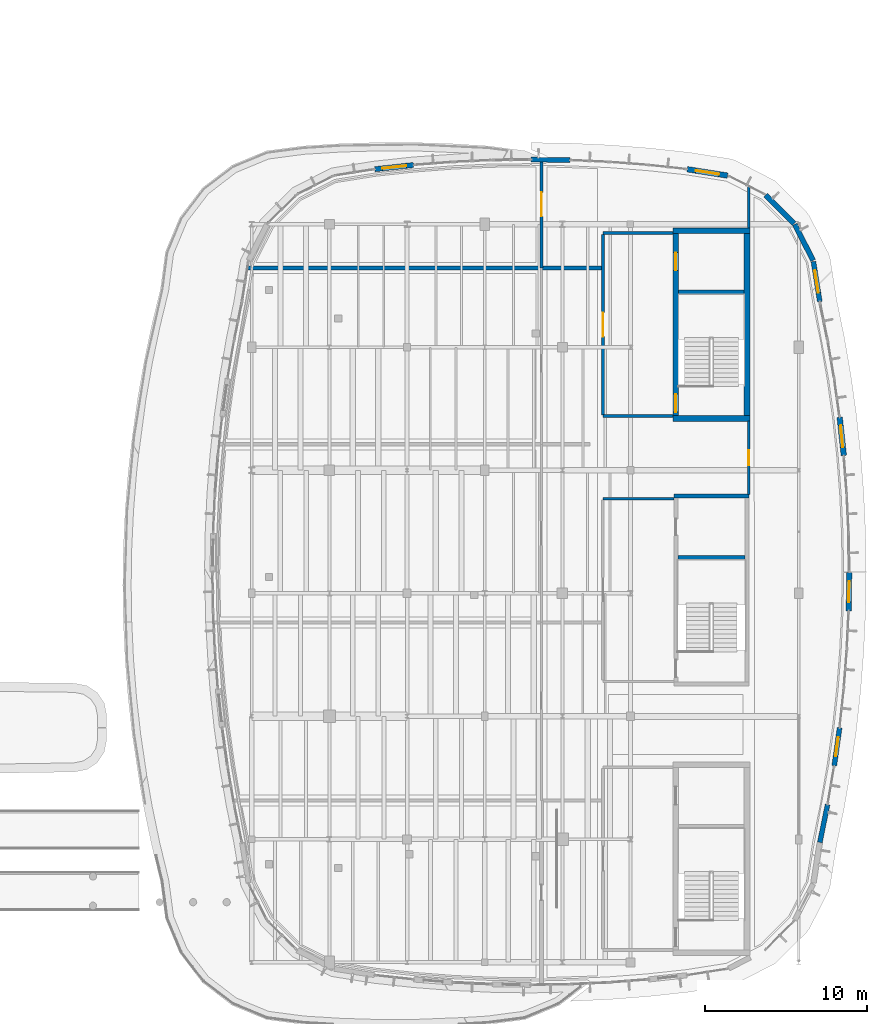
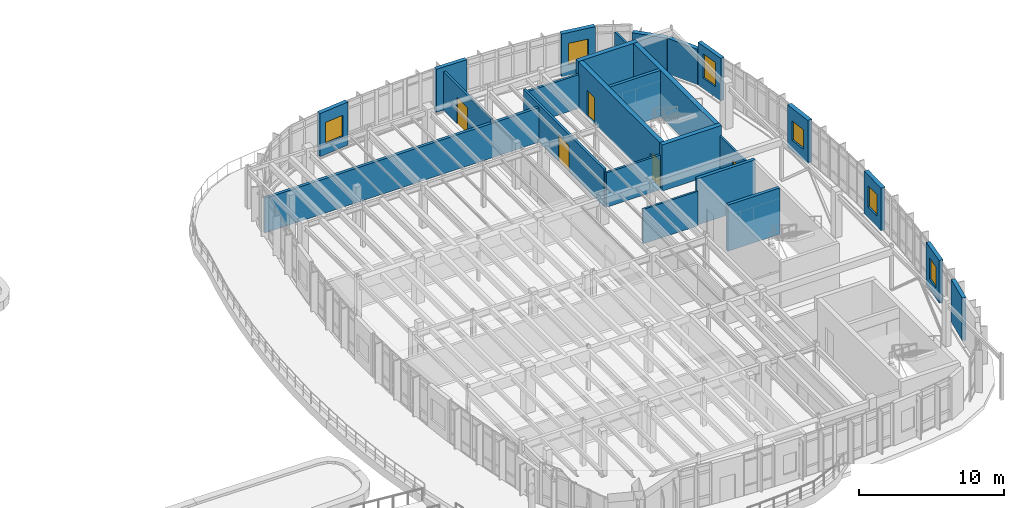
# One storey, part 89 of 111: 25 walls, 6 windows, 5 doors, 11 openings.
"""IFC4 building model written with IfcOpenShell, lengths in metres."""

import ifcopenshell
import ifcopenshell.guid

model = None  # the IFC model being written
_history = None  # IfcOwnerHistory: only IFC2X3 demands one
_inside = {}  # id of a spatial element -> (the spatial element, [elements in it])
_under = {}  # id of a project, library or spatial element -> (it, [spatial elements below it])
_declared = {}  # id of a project -> (the project, [libraries it declares])
_typed = {}  # id of a type object -> (the type object, [elements of that type])
_made_of = {}  # id of a material, layer set ... -> (it, [elements and type objects made of it])


def new_model(schema):
    """Start an empty IFC model of exactly this schema.

    Asked for "IFC4X3", IfcOpenShell would pick the latest addendum, in which some entities
    have other attributes; the version numbers below select the first issue.
    IFC2X3 requires an IfcOwnerHistory on every rooted entity: one is made here for all.
    """
    global model, _history
    if schema == "IFC4X3":
        model = ifcopenshell.file(schema_version=(4, 3, 0, 0))
    else:
        model = ifcopenshell.file(schema=schema)
    _inside.clear()
    _under.clear()
    _declared.clear()
    _typed.clear()
    _made_of.clear()
    _history = None
    if model.schema == "IFC2X3":
        org = make("IfcOrganization", Name="unknown")
        user = make(
            "IfcPersonAndOrganization",
            ThePerson=make("IfcPerson", FamilyName="unknown"),
            TheOrganization=org,
        )
        app = make(
            "IfcApplication",
            ApplicationDeveloper=org,
            Version="unknown",
            ApplicationFullName="unknown",
            ApplicationIdentifier="unknown",
        )
        _history = make(
            "IfcOwnerHistory",
            OwningUser=user,
            OwningApplication=app,
            ChangeAction="ADDED",
            CreationDate=0,
        )
    return model


def make(cls, **values):
    """One entity of the class cls with the attributes given. An attribute that is None is left unset."""
    return model.create_entity(
        cls, **{name: value for name, value in values.items() if value is not None}
    )


def rooted(cls, **values):
    """An entity with a GlobalId (a new one), such as an element, a storey or a relation."""
    return make(cls, GlobalId=ifcopenshell.guid.new(), OwnerHistory=_history, **values)


def si_unit(unit_type, name, prefix=None):
    """IfcSIUnit, for example si_unit("LENGTHUNIT", "METRE", prefix="MILLI")."""
    return make("IfcSIUnit", UnitType=unit_type, Prefix=prefix, Name=name)


def assignment(units):
    """IfcUnitAssignment: the units of a project."""
    return None if units is None else make("IfcUnitAssignment", Units=units)


def point(xyz):
    """IfcCartesianPoint."""
    return None if xyz is None else make("IfcCartesianPoint", Coordinates=xyz)


def direction(xyz):
    """IfcDirection."""
    return None if xyz is None else make("IfcDirection", DirectionRatios=xyz)


def frame(location, z_axis=None, x_axis=None):
    """IfcAxis2Placement3D, a coordinate frame: its origin and axes. An axis left out is left unset."""
    return make(
        "IfcAxis2Placement3D",
        Location=point(location),
        Axis=direction(z_axis),
        RefDirection=direction(x_axis),
    )


def frame_2d(location, x_axis=None):
    """IfcAxis2Placement2D, a coordinate frame in the plane: its origin and x axis."""
    return make(
        "IfcAxis2Placement2D", Location=point(location), RefDirection=direction(x_axis)
    )


def origin():
    """The frame at (0, 0, 0) with its axes left unset."""
    return frame((0.0, 0.0, 0.0))


def place(relative_to, where):
    """IfcLocalPlacement: puts the frame where relative to a parent placement (None: the world)."""
    return make(
        "IfcLocalPlacement", PlacementRelTo=relative_to, RelativePlacement=where
    )


def context(
    kind, dimensions, precision=None, world=None, true_north=None, identifier=None
):
    """IfcGeometricRepresentationContext, for example the 3D "Model" context."""
    return make(
        "IfcGeometricRepresentationContext",
        ContextIdentifier=identifier,
        ContextType=kind,
        CoordinateSpaceDimension=dimensions,
        Precision=precision,
        WorldCoordinateSystem=world,
        TrueNorth=true_north,
    )


def subcontext(parent, identifier, kind, view, scale=None):
    """IfcGeometricRepresentationSubContext, for example "Body" below "Model"."""
    return make(
        "IfcGeometricRepresentationSubContext",
        ContextIdentifier=identifier,
        ContextType=kind,
        ParentContext=parent,
        TargetScale=scale,
        TargetView=view,
    )


def project(units=None, contexts=None):
    """IfcProject with its units and contexts."""
    return rooted(
        "IfcProject",
        Name="project",
        RepresentationContexts=contexts,
        UnitsInContext=assignment(units),
    )


def spatial(cls, under=None, at=None, **own):
    """A site, building, storey or space (cls), placed at a placement, below another one or the project."""
    s = rooted(cls, ObjectPlacement=at, **own)
    if under is not None:
        _under.setdefault(under.id(), (under, []))[1].append(s)
    return s


def profile(cls, at=None, kind="AREA", **sizes):
    """A parametric profile (cls). Its sizes go by their IFC names, for example OverallWidth=200.0."""
    return make(cls, ProfileType=kind, Position=at, **sizes)


def rectangle(**sizes):
    """IfcRectangleProfileDef."""
    return profile("IfcRectangleProfileDef", **sizes)


def extrude(swept, where, along, depth):
    """IfcExtrudedAreaSolid: the profile swept, set in the frame where, extruded along a direction by depth."""
    return make(
        "IfcExtrudedAreaSolid",
        SweptArea=swept,
        Position=where,
        ExtrudedDirection=direction(along),
        Depth=depth,
    )


def shape(context_of_items, identifier, shape_type, items):
    """IfcShapeRepresentation: the items that make up one representation, for example the "Body"."""
    return make(
        "IfcShapeRepresentation",
        ContextOfItems=context_of_items,
        RepresentationIdentifier=identifier,
        RepresentationType=shape_type,
        Items=items,
    )


def material(Name=None, Category=None):
    """IfcMaterial."""
    return make("IfcMaterial", Name=Name, Category=Category)


def layer(
    of_material, thickness, ventilated=None, Name=None, Category=None, Priority=None
):
    """IfcMaterialLayer: one layer of a wall or slab, of a material (None: an air gap)."""
    return make(
        "IfcMaterialLayer",
        Material=of_material,
        LayerThickness=thickness,
        IsVentilated=ventilated,
        Name=Name,
        Category=Category,
        Priority=Priority,
    )


def layer_set(layers, Name=None):
    """IfcMaterialLayerSet."""
    return make("IfcMaterialLayerSet", MaterialLayers=layers, LayerSetName=Name)


def made_of(thing, what):
    """Note that an element or type object is made of a material, layer set ...; save() writes the relation."""
    if what is not None:
        _made_of.setdefault(what.id(), (what, []))[1].append(thing)
    return thing


def type_object(cls, material=None, **own):
    """A type object (cls), such as IfcWallType, which elements share."""
    return made_of(rooted(cls, **own), material)


def element(
    cls,
    number,
    at=None,
    inside=None,
    cuts=None,
    type_object=None,
    material=None,
    context=None,
    identifier="Body",
    shape_type=None,
    held_by="IfcProductDefinitionShape",
    body=None,
    shapes=None,
    **own,
):
    """One element of the class cls, such as IfcWall. Its Tag is "e" and its number.

    at: its placement. inside: the storey or other place that contains it. cuts: it is an
    opening in that element (IfcRelVoidsElement). A single representation is given by context,
    identifier, shape_type and body (its items); several are given by shapes. held_by: the class
    of the entity that holds the representations. save() writes the other relations.
    """
    e = rooted(cls, Tag="e%d" % number, ObjectPlacement=at, **own)
    if body is not None:
        shapes = [shape(context, identifier, shape_type, body)]
    if shapes is not None:
        e.Representation = make(held_by, Representations=shapes)
    if inside is not None:
        _inside.setdefault(inside.id(), (inside, []))[1].append(e)
    if cuts is not None:
        rooted(
            "IfcRelVoidsElement", RelatingBuildingElement=cuts, RelatedOpeningElement=e
        )
    if type_object is not None:
        _typed.setdefault(type_object.id(), (type_object, []))[1].append(e)
    return made_of(e, material)


def fill(opening, filler):
    """IfcRelFillsElement: the door or window that sits in an opening."""
    return rooted(
        "IfcRelFillsElement",
        RelatingOpeningElement=opening,
        RelatedBuildingElement=filler,
    )


def aggregate(whole, parts):
    """IfcRelAggregates: a whole, such as a stair, and the parts it consists of."""
    return rooted("IfcRelAggregates", RelatingObject=whole, RelatedObjects=parts)


def save(model, path):
    """Write the relations noted so far, then the file.

    IfcRelAggregates (storeys below a building ...), IfcRelContainedInSpatialStructure (elements
    in a storey), IfcRelDefinesByType, IfcRelAssociatesMaterial and IfcRelDeclares: one each for
    every whole, place, type object, material and project.
    """
    for whole, parts in _under.values():
        aggregate(whole, parts)
    for where, things in _inside.values():
        rooted(
            "IfcRelContainedInSpatialStructure",
            RelatedElements=things,
            RelatingStructure=where,
        )
    for kind, things in _typed.values():
        rooted("IfcRelDefinesByType", RelatedObjects=things, RelatingType=kind)
    for what, things in _made_of.values():
        rooted("IfcRelAssociatesMaterial", RelatedObjects=things, RelatingMaterial=what)
    for by, libraries in _declared.values():
        rooted("IfcRelDeclares", RelatingContext=by, RelatedDefinitions=libraries)
    model.write(path)


model = new_model("IFC4")

# Units and contexts
model_context = context("Model", 3, precision=1e-05, world=origin(), true_north=direction((0.0, 1.0)))
body_context = subcontext(model_context, "Body", "Model", "MODEL_VIEW")
ifc_project = project(units=[si_unit("LENGTHUNIT", "METRE"), si_unit("AREAUNIT", "SQUARE_METRE"), si_unit("VOLUMEUNIT", "CUBIC_METRE"), si_unit("PLANEANGLEUNIT", "RADIAN"), si_unit("MASSUNIT", "GRAM", prefix="KILO")], contexts=[model_context])

# Site, building, storey
site_placement = place(None, origin())
site = spatial("IfcSite", under=ifc_project, at=site_placement, CompositionType="ELEMENT")
building_placement = place(site_placement, origin())
building = spatial("IfcBuilding", under=site, at=building_placement, Name="Corveleigh Park Community Centre", CompositionType="ELEMENT")
storey_placement = place(building_placement, frame((0.0, 0.0, 4.800048828125)))
storey = spatial("IfcBuildingStorey", under=building, at=storey_placement, Name="L01", CompositionType="ELEMENT", Elevation=4.800048828125)

# Wall
ifc_material_1 = material(Name="Precast concrete C40/50", Category="concrete")
ifc_layer_1 = layer(ifc_material_1, 0.300048828125, Name="Precast concrete C40/50", Category="concrete")
ifc_layer_set_1 = layer_set([ifc_layer_1], Name="Precast concrete C40/50")
wall_type_1 = type_object("IfcWallType", Name="WL-EXT-300", PredefinedType="STANDARD", material=ifc_layer_set_1)
wall_1_placement = place(storey_placement, frame((170.178955078125, 68.346923828125, 0.0), z_axis=(0.0, 0.0, 1.0), x_axis=(-0.200012153698, -0.979793416171, 0.0)))
element("IfcWall", 1, at=wall_1_placement, inside=storey, type_object=wall_type_1, Name="V4 L01 Precast Facade Wall", PredefinedType="STANDARD", context=body_context, shape_type="SweptSolid", body=[
    extrude(rectangle(XDim=2.385009765625, YDim=0.300048828125, at=frame_2d((1.1923828125, 0.0))), origin(), (0.0, 0.0, 1.0), 3.612060546875),
])

# Wall, opening, window
wall_2_placement = place(storey_placement, frame((170.922119140625, 73.097900390625, 0.0), z_axis=(0.0, 0.0, 1.0), x_axis=(-0.139087162472, -0.990280142806, 0.0)))
wall_2 = element("IfcWall", 2, at=wall_2_placement, inside=storey, type_object=wall_type_1, Name="V4 L01 Precast Facade Wall", PredefinedType="STANDARD", context=body_context, shape_type="SweptSolid", body=[
    extrude(rectangle(XDim=2.38720703125, YDim=0.300048828125, at=frame_2d((1.193603515625, 0.0))), origin(), (0.0, 0.0, 1.0), 3.612060546875),
])
opening_1_placement = place(wall_2_placement, frame((0.593994140625, 0.0, 0.89990234375)))
opening_1 = element("IfcOpeningElement", 3, at=opening_1_placement, cuts=wall_2, Name="Opening W06", PredefinedType="OPENING", context=body_context, shape_type="SweptSolid", body=[
    extrude(rectangle(XDim=1.199951171875, YDim=1.800048828125, at=frame_2d((0.60009765625, 0.89990234375))), frame((0.0, 0.159912109375, 0.0), z_axis=(0.0, -1.0, 0.0), x_axis=(1.0, 0.0, 0.0)), (0.0, 0.0, 1.0), 0.320068359375),
])
ifc_material_2 = material(Name="Low-E double glazing", Category="glass")
window_type_1 = type_object("IfcWindowType", Name="WIN-EXT-1200x1800", PartitioningType="SINGLE_PANEL", PredefinedType="WINDOW", material=ifc_material_2)
window_1_placement = place(opening_1_placement, origin())
window_1 = element("IfcWindow", 4, at=window_1_placement, inside=storey, type_object=window_type_1, Name="V4 L01 Window 54", OverallHeight=1.800048828125, OverallWidth=1.199951171875, PartitioningType="SINGLE_PANEL", PredefinedType="WINDOW", context=body_context, shape_type="SweptSolid", body=[
    extrude(rectangle(XDim=1.199951171875, YDim=1.800048828125, at=frame_2d((0.60009765625, 0.89990234375))), frame((0.0, 0.030029296875, 0.0), z_axis=(0.0, -1.0, 0.0), x_axis=(1.0, 0.0, 0.0)), (0.0, 0.0, 1.0), 0.06005859375),
])
fill(opening_1, window_1)

wall_3_placement = place(storey_placement, frame((169.304931640625, 101.89599609375, 0.0), z_axis=(0.0, 0.0, 1.0), x_axis=(0.156166790267, -0.987730698935, 0.0)))
wall_3 = element("IfcWall", 5, at=wall_3_placement, inside=storey, type_object=wall_type_1, Name="V4 L01 Precast Facade Wall", PredefinedType="STANDARD", context=body_context, shape_type="SweptSolid", body=[
    extrude(rectangle(XDim=2.516845703125, YDim=0.300048828125, at=frame_2d((1.25830078125, 0.0))), origin(), (0.0, 0.0, 1.0), 3.612060546875),
])
opening_2_placement = place(wall_3_placement, frame((0.55810546875, 0.0, 0.89990234375)))
opening_2 = element("IfcOpeningElement", 6, at=opening_2_placement, cuts=wall_3, Name="Opening W09", PredefinedType="OPENING", context=body_context, shape_type="SweptSolid", body=[
    extrude(rectangle(XDim=1.39990234375, YDim=2.050048828125, at=frame_2d((0.699951171875, 1.02490234375))), frame((0.0, 0.159912109375, 0.0), z_axis=(0.0, -1.0, 0.0), x_axis=(1.0, 0.0, 0.0)), (0.0, 0.0, 1.0), 0.320068359375),
])
window_type_2 = type_object("IfcWindowType", Name="WIN-EXT-1400x2050", PartitioningType="SINGLE_PANEL", PredefinedType="WINDOW", material=ifc_material_2)
window_2_placement = place(opening_2_placement, origin())
window_2 = element("IfcWindow", 7, at=window_2_placement, inside=storey, type_object=window_type_2, Name="V4 L01 Window 57", OverallHeight=2.050048828125, OverallWidth=1.39990234375, PartitioningType="SINGLE_PANEL", PredefinedType="WINDOW", context=body_context, shape_type="SweptSolid", body=[
    extrude(rectangle(XDim=1.39990234375, YDim=2.050048828125, at=frame_2d((0.699951171875, 1.02490234375))), frame((0.0, 0.030029296875, 0.0), z_axis=(0.0, -1.0, 0.0), x_axis=(1.0, 0.0, 0.0)), (0.0, 0.0, 1.0), 0.06005859375),
])
fill(opening_2, window_2)

# Wall
wall_4_placement = place(storey_placement, frame((151.85888671875, 108.196044921875, 0.0), z_axis=(0.0, 0.0, 1.0), x_axis=(0.99988049559, -0.015459448208, 0.0)))
element("IfcWall", 8, at=wall_4_placement, inside=storey, type_object=wall_type_1, Name="V4 L01 Precast Facade Wall", PredefinedType="STANDARD", context=body_context, shape_type="SweptSolid", body=[
    extrude(rectangle(XDim=2.400390625, YDim=0.300048828125, at=frame_2d((1.2001953125, 0.0))), origin(), (0.0, 0.0, 1.0), 3.636962890625),
])

# Wall, opening, window
ifc_layer_2 = layer(ifc_material_1, 0.320068359375, Name="Precast concrete C40/50", Category="concrete")
ifc_layer_set_2 = layer_set([ifc_layer_2], Name="Precast concrete C40/50")
wall_type_2 = type_object("IfcWallType", Name="WL-EXT-320", PredefinedType="STANDARD", material=ifc_layer_set_2)
wall_5_placement = place(storey_placement, frame((171.51806640625, 82.69091796875, 0.0), z_axis=(0.0, 0.0, 1.0), x_axis=(-0.015551173552, -0.999879073189, 0.0)))
wall_5 = element("IfcWall", 9, at=wall_5_placement, inside=storey, type_object=wall_type_2, Name="V4 L01 Precast Facade Wall", PredefinedType="STANDARD", context=body_context, shape_type="SweptSolid", body=[
    extrude(rectangle(XDim=2.38623046875, YDim=0.320068359375, at=frame_2d((1.193115234375, 0.0))), origin(), (0.0, 0.0, 1.0), 3.612060546875),
])
opening_3_placement = place(wall_5_placement, frame((0.54296875, 0.0, 0.89990234375)))
opening_3 = element("IfcOpeningElement", 10, at=opening_3_placement, cuts=wall_5, Name="Opening W07", PredefinedType="OPENING", context=body_context, shape_type="SweptSolid", body=[
    extrude(rectangle(XDim=1.300048828125, YDim=1.800048828125, at=frame_2d((0.64990234375, 0.89990234375))), frame((0.0, 0.169921875, 0.0), z_axis=(0.0, -1.0, 0.0), x_axis=(1.0, 0.0, 0.0)), (0.0, 0.0, 1.0), 0.340087890625),
])
window_type_3 = type_object("IfcWindowType", Name="WIN-EXT-1300x1800", PartitioningType="SINGLE_PANEL", PredefinedType="WINDOW", material=ifc_material_2)
window_3_placement = place(opening_3_placement, origin())
window_3 = element("IfcWindow", 11, at=window_3_placement, inside=storey, type_object=window_type_3, Name="V4 L01 Window 55", OverallHeight=1.800048828125, OverallWidth=1.300048828125, PartitioningType="SINGLE_PANEL", PredefinedType="WINDOW", context=body_context, shape_type="SweptSolid", body=[
    extrude(rectangle(XDim=1.300048828125, YDim=1.800048828125, at=frame_2d((0.64990234375, 0.89990234375))), frame((0.0, 0.030029296875, 0.0), z_axis=(0.0, -1.0, 0.0), x_axis=(1.0, 0.0, 0.0)), (0.0, 0.0, 1.0), 0.06005859375),
])
fill(opening_3, window_3)

# Wall
wall_6_placement = place(storey_placement, frame((168.15087890625, 104.18603515625, 0.0), z_axis=(0.0, 0.0, 1.0), x_axis=(0.454298846644, -0.890849346376, 0.0)))
element("IfcWall", 12, at=wall_6_placement, inside=storey, type_object=wall_type_2, Name="V4 L01 Precast Facade Wall", PredefinedType="STANDARD", context=body_context, shape_type="SweptSolid", body=[
    extrude(rectangle(XDim=2.48974609375, YDim=0.320068359375, at=frame_2d((1.244873046875, 0.0))), origin(), (0.0, 0.0, 1.0), 3.0),
])

# Wall, opening, window
wall_7_placement = place(storey_placement, frame((142.2109375, 107.60107421875, 0.0), z_axis=(0.0, 0.0, 1.0), x_axis=(0.994148979576, 0.108017620822, 0.0)))
wall_7 = element("IfcWall", 13, at=wall_7_placement, inside=storey, type_object=wall_type_2, Name="V4 L01 Precast Facade Wall", PredefinedType="STANDARD", context=body_context, shape_type="SweptSolid", body=[
    extrude(rectangle(XDim=2.39794921875, YDim=0.320068359375, at=frame_2d((1.198974609375, 0.0))), origin(), (0.0, 0.0, 1.0), 3.636962890625),
])
opening_4_placement = place(wall_7_placement, frame((0.448974609375, 0.0, 0.89990234375)))
opening_4 = element("IfcOpeningElement", 14, at=opening_4_placement, cuts=wall_7, Name="Opening W11", PredefinedType="OPENING", context=body_context, shape_type="SweptSolid", body=[
    extrude(rectangle(XDim=1.5, YDim=1.800048828125, at=frame_2d((0.75, 0.89990234375))), frame((0.0, 0.169921875, 0.0), z_axis=(0.0, -1.0, 0.0), x_axis=(1.0, 0.0, 0.0)), (0.0, 0.0, 1.0), 0.340087890625),
])
window_type_4 = type_object("IfcWindowType", Name="WIN-EXT-1500x1800", PartitioningType="SINGLE_PANEL", PredefinedType="WINDOW", material=ifc_material_2)
window_4_placement = place(opening_4_placement, origin())
window_4 = element("IfcWindow", 15, at=window_4_placement, inside=storey, type_object=window_type_4, Name="V4 L01 Window 59", OverallHeight=1.800048828125, OverallWidth=1.5, PartitioningType="SINGLE_PANEL", PredefinedType="WINDOW", context=body_context, shape_type="SweptSolid", body=[
    extrude(rectangle(XDim=1.5, YDim=1.800048828125, at=frame_2d((0.75, 0.89990234375))), frame((0.0, 0.030029296875, 0.0), z_axis=(0.0, -1.0, 0.0), x_axis=(1.0, 0.0, 0.0)), (0.0, 0.0, 1.0), 0.06005859375),
])
fill(opening_4, window_4)

ifc_layer_3 = layer(ifc_material_1, 0.340087890625, Name="Precast concrete C40/50", Category="concrete")
ifc_layer_set_3 = layer_set([ifc_layer_3], Name="Precast concrete C40/50")
wall_type_3 = type_object("IfcWallType", Name="WL-EXT-340", PredefinedType="STANDARD", material=ifc_layer_set_3)
wall_8_placement = place(storey_placement, frame((170.924072265625, 92.283935546875, 0.0), z_axis=(0.0, 0.0, 1.0), x_axis=(0.108061379376, -0.994144224088, 0.0)))
wall_8 = element("IfcWall", 16, at=wall_8_placement, inside=storey, type_object=wall_type_3, Name="V4 L01 Precast Facade Wall", PredefinedType="STANDARD", context=body_context, shape_type="SweptSolid", body=[
    extrude(rectangle(XDim=2.3857421875, YDim=0.340087890625, at=frame_2d((1.19287109375, 0.0))), origin(), (0.0, 0.0, 1.0), 3.612060546875),
])
opening_5_placement = place(wall_8_placement, frame((0.51806640625, 0.0, 0.89990234375)))
opening_5 = element("IfcOpeningElement", 17, at=opening_5_placement, cuts=wall_8, Name="Opening W08", PredefinedType="OPENING", context=body_context, shape_type="SweptSolid", body=[
    extrude(rectangle(XDim=1.35009765625, YDim=1.64990234375, at=frame_2d((0.675048828125, 0.824951171875))), frame((0.0, 0.179931640625, 0.0), z_axis=(0.0, -1.0, 0.0), x_axis=(1.0, 0.0, 0.0)), (0.0, 0.0, 1.0), 0.360107421875),
])
window_type_5 = type_object("IfcWindowType", Name="WIN-EXT-1350x1650", PartitioningType="SINGLE_PANEL", PredefinedType="WINDOW", material=ifc_material_2)
window_5_placement = place(opening_5_placement, origin())
window_5 = element("IfcWindow", 18, at=window_5_placement, inside=storey, type_object=window_type_5, Name="V4 L01 Window 56", OverallHeight=1.64990234375, OverallWidth=1.35009765625, PartitioningType="SINGLE_PANEL", PredefinedType="WINDOW", context=body_context, shape_type="SweptSolid", body=[
    extrude(rectangle(XDim=1.35009765625, YDim=1.64990234375, at=frame_2d((0.675048828125, 0.824951171875))), frame((0.0, 0.030029296875, 0.0), z_axis=(0.0, -1.0, 0.0), x_axis=(1.0, 0.0, 0.0)), (0.0, 0.0, 1.0), 0.06005859375),
])
fill(opening_5, window_5)

# Wall
wall_9_placement = place(storey_placement, frame((166.346923828125, 106.007080078125, 0.0), z_axis=(0.0, 0.0, 1.0), x_axis=(0.707106781187, -0.707106781187, 0.0)))
element("IfcWall", 19, at=wall_9_placement, inside=storey, type_object=wall_type_3, Name="V4 L01 Precast Facade Wall", PredefinedType="STANDARD", context=body_context, shape_type="SweptSolid", body=[
    extrude(rectangle(XDim=2.489013671875, YDim=0.340087890625, at=frame_2d((1.24462890625, 0.0))), origin(), (0.0, 0.0, 1.0), 3.0),
])

# Wall, opening, window
wall_10_placement = place(storey_placement, frame((161.510986328125, 107.597900390625, 0.0), z_axis=(0.0, 0.0, 1.0), x_axis=(0.987736200152, -0.156131991949, 0.0)))
wall_10 = element("IfcWall", 20, at=wall_10_placement, inside=storey, type_object=wall_type_3, Name="V4 L01 Precast Facade Wall", PredefinedType="STANDARD", context=body_context, shape_type="SweptSolid", body=[
    extrude(rectangle(XDim=2.515869140625, YDim=0.340087890625, at=frame_2d((1.2578125, 0.0))), origin(), (0.0, 0.0, 1.0), 3.612060546875),
])
opening_6_placement = place(wall_10_placement, frame((0.532958984375, 0.0, 0.89990234375)))
opening_6 = element("IfcOpeningElement", 21, at=opening_6_placement, cuts=wall_10, Name="Opening W10", PredefinedType="OPENING", context=body_context, shape_type="SweptSolid", body=[
    extrude(rectangle(XDim=1.449951171875, YDim=1.800048828125, at=frame_2d((0.72509765625, 0.89990234375))), frame((0.0, 0.179931640625, 0.0), z_axis=(0.0, -1.0, 0.0), x_axis=(1.0, 0.0, 0.0)), (0.0, 0.0, 1.0), 0.360107421875),
])
window_type_6 = type_object("IfcWindowType", Name="WIN-EXT-1450x1800", PartitioningType="SINGLE_PANEL", PredefinedType="WINDOW", material=ifc_material_2)
window_6_placement = place(opening_6_placement, origin())
window_6 = element("IfcWindow", 22, at=window_6_placement, inside=storey, type_object=window_type_6, Name="V4 L01 Window 58", OverallHeight=1.800048828125, OverallWidth=1.449951171875, PartitioningType="SINGLE_PANEL", PredefinedType="WINDOW", context=body_context, shape_type="SweptSolid", body=[
    extrude(rectangle(XDim=1.449951171875, YDim=1.800048828125, at=frame_2d((0.72509765625, 0.89990234375))), frame((0.0, 0.030029296875, 0.0), z_axis=(0.0, -1.0, 0.0), x_axis=(1.0, 0.0, 0.0)), (0.0, 0.0, 1.0), 0.06005859375),
])
fill(opening_6, window_6)

# Wall
ifc_material_3 = material(Name="Gypsum acoustic stud partition", Category="gypsum")
ifc_layer_4 = layer(ifc_material_3, 0.14990234375, Name="Gypsum acoustic stud partition", Category="gypsum")
ifc_layer_set_4 = layer_set([ifc_layer_4], Name="Gypsum acoustic stud partition")
wall_type_4 = type_object("IfcWallType", Name="WL-PRT-150", PredefinedType="PARTITIONING", material=ifc_layer_set_4)
wall_11_placement = place(storey_placement, frame((160.68994140625, 87.25, 0.0), z_axis=(0.0, 0.0, 1.0), x_axis=(-1.0, 0.0, 0.0)))
element("IfcWall", 23, at=wall_11_placement, inside=storey, type_object=wall_type_4, Name="CORE6 lobby north wall", PredefinedType="PARTITIONING", context=body_context, shape_type="SweptSolid", body=[
    extrude(rectangle(XDim=4.389892578125, YDim=0.14990234375, at=frame_2d((2.19482421875, 0.0))), origin(), (0.0, 0.0, 1.0), 2.9169921875),
])

# Wall, opening, door
wall_12_placement = place(storey_placement, frame((165.300048828125, 87.512939453125, 0.0), z_axis=(0.0, 0.0, 1.0), x_axis=(0.0, 1.0, 0.0)))
wall_12 = element("IfcWall", 24, at=wall_12_placement, inside=storey, type_object=wall_type_4, Name="Parkside Community Assembly Forum corridor wall", PredefinedType="PARTITIONING", context=body_context, shape_type="SweptSolid", body=[
    extrude(rectangle(XDim=4.524169921875, YDim=0.14990234375, at=frame_2d((2.26220703125, 0.0))), origin(), (0.0, 0.0, 1.0), 3.050048828125),
])
opening_7_placement = place(wall_12_placement, frame((1.7919921875, 0.0, 0.0)))
opening_7 = element("IfcOpeningElement", 25, at=opening_7_placement, cuts=wall_12, Name="Opening FD09", PredefinedType="OPENING", context=body_context, shape_type="SweptSolid", body=[
    extrude(rectangle(XDim=0.93994140625, YDim=2.10009765625, at=frame_2d((0.469970703125, 1.050048828125))), frame((0.0, 0.0849609375, 0.0), z_axis=(0.0, -1.0, 0.0), x_axis=(1.0, 0.0, 0.0)), (0.0, 0.0, 1.0), 0.169921875),
])
ifc_material_4 = material(Name="Hardwood acoustic door leaf", Category="wood")
door_type_1 = type_object("IfcDoorType", Name="DR-FIR-0940x2100", OperationType="NOTDEFINED", PredefinedType="DOOR", material=ifc_material_4)
door_1_placement = place(opening_7_placement, origin())
door_1 = element("IfcDoor", 26, at=door_1_placement, inside=storey, type_object=door_type_1, Name="Parkside Community Assembly Forum door", OperationType="SINGLE_SWING_LEFT", OverallHeight=2.10009765625, OverallWidth=0.93994140625, PredefinedType="DOOR", context=body_context, shape_type="SweptSolid", body=[
    extrude(rectangle(XDim=0.93994140625, YDim=2.10009765625, at=frame_2d((0.469970703125, 1.050048828125))), frame((0.0, 0.02490234375, 0.0), z_axis=(0.0, -1.0, 0.0), x_axis=(1.0, 0.0, 0.0)), (0.0, 0.0, 1.0), 0.050048828125),
])
fill(opening_7, door_1)

# Wall
wall_13_placement = place(storey_placement, frame((165.300048828125, 103.962890625, 0.0), z_axis=(0.0, 0.0, 1.0), x_axis=(0.0, 1.0, 0.0)))
element("IfcWall", 27, at=wall_13_placement, inside=storey, type_object=wall_type_4, Name="Parkside Community Assembly Forum corridor wall", PredefinedType="PARTITIONING", context=body_context, shape_type="SweptSolid", body=[
    extrude(rectangle(XDim=2.591064453125, YDim=0.14990234375, at=frame_2d((1.29541015625, 0.0))), origin(), (0.0, 0.0, 1.0), 3.0),
])

# Wall, opening, door
ifc_layer_5 = layer(ifc_material_3, 0.1650390625, Name="Gypsum acoustic stud partition", Category="gypsum")
ifc_layer_set_5 = layer_set([ifc_layer_5], Name="Gypsum acoustic stud partition")
wall_type_5 = type_object("IfcWallType", Name="WL-PRT-165", PredefinedType="PARTITIONING", material=ifc_layer_set_5)
wall_14_placement = place(storey_placement, frame((152.5, 108.048095703125, 0.0), z_axis=(0.0, 0.0, 1.0), x_axis=(0.0, -1.0, 0.0)))
wall_14 = element("IfcWall", 28, at=wall_14_placement, inside=storey, type_object=wall_type_5, Name="Accessible and Public Toilets L01 corridor wall", PredefinedType="PARTITIONING", context=body_context, shape_type="SweptSolid", body=[
    extrude(rectangle(XDim=6.548095703125, YDim=0.1650390625, at=frame_2d((3.27392578125, 0.0))), origin(), (0.0, 0.0, 1.0), 3.243896484375),
])
opening_8_placement = place(wall_14_placement, frame((1.8740234375, 0.0, 0.0)))
opening_8 = element("IfcOpeningElement", 29, at=opening_8_placement, cuts=wall_14, Name="Opening FD01", PredefinedType="OPENING", context=body_context, shape_type="SweptSolid", body=[
    extrude(rectangle(XDim=1.47998046875, YDim=2.219970703125, at=frame_2d((0.739990234375, 1.10986328125))), frame((0.0, 0.092529296875, 0.0), z_axis=(0.0, -1.0, 0.0), x_axis=(1.0, 0.0, 0.0)), (0.0, 0.0, 1.0), 0.18505859375),
])
door_type_2 = type_object("IfcDoorType", Name="DR-FIR-1480x2220", OperationType="DOUBLE_DOOR_SINGLE_SWING", PredefinedType="DOOR", material=ifc_material_4)
door_2_placement = place(opening_8_placement, origin())
door_2 = element("IfcDoor", 30, at=door_2_placement, inside=storey, type_object=door_type_2, Name="Accessible and Public Toilets L01 door", OperationType="DOUBLE_DOOR_SINGLE_SWING", OverallHeight=2.219970703125, OverallWidth=1.47998046875, PredefinedType="DOOR", context=body_context, shape_type="SweptSolid", body=[
    extrude(rectangle(XDim=1.47998046875, YDim=2.219970703125, at=frame_2d((0.739990234375, 1.10986328125))), frame((0.0, 0.02490234375, 0.0), z_axis=(0.0, -1.0, 0.0), x_axis=(1.0, 0.0, 0.0)), (0.0, 0.0, 1.0), 0.050048828125),
])
fill(opening_8, door_2)

# Walls
ifc_layer_6 = layer(ifc_material_3, 0.179931640625, Name="Gypsum acoustic stud partition", Category="gypsum")
ifc_layer_set_6 = layer_set([ifc_layer_6], Name="Gypsum acoustic stud partition")
wall_type_6 = type_object("IfcWallType", Name="WL-PRT-180", PredefinedType="PARTITIONING", material=ifc_layer_set_6)
wall_15_placement = place(storey_placement, frame((156.300048828125, 92.35009765625, 0.0), z_axis=(0.0, 0.0, 1.0), x_axis=(1.0, 0.0, 0.0)))
element("IfcWall", 31, at=wall_15_placement, inside=storey, type_object=wall_type_6, Name="CORE2 lobby south wall", PredefinedType="PARTITIONING", context=body_context, shape_type="SweptSolid", body=[
    extrude(rectangle(XDim=4.33984375, YDim=0.179931640625, at=frame_2d((2.169921875, 0.0))), origin(), (0.0, 0.0, 1.0), 2.912841796875),
])
wall_16_placement = place(storey_placement, frame((160.639892578125, 103.64990234375, 0.0), z_axis=(0.0, 0.0, 1.0), x_axis=(-1.0, 0.0, 0.0)))
element("IfcWall", 32, at=wall_16_placement, inside=storey, type_object=wall_type_6, Name="CORE2 lobby north wall", PredefinedType="PARTITIONING", context=body_context, shape_type="SweptSolid", body=[
    extrude(rectangle(XDim=4.33984375, YDim=0.179931640625, at=frame_2d((2.169921875, 0.0))), origin(), (0.0, 0.0, 1.0), 2.837890625),
])

# Wall, opening, door
wall_17_placement = place(storey_placement, frame((156.300048828125, 103.570068359375, 0.0), z_axis=(0.0, 0.0, 1.0), x_axis=(0.0, -1.0, 0.0)))
wall_17 = element("IfcWall", 33, at=wall_17_placement, inside=storey, type_object=wall_type_6, Name="CORE2 lobby corridor wall", PredefinedType="PARTITIONING", context=body_context, shape_type="SweptSolid", body=[
    extrude(rectangle(XDim=11.14013671875, YDim=0.179931640625, at=frame_2d((5.570068359375, 0.0))), origin(), (0.0, 0.0, 1.0), 3.139892578125),
])
opening_9_placement = place(wall_17_placement, frame((4.830078125, 0.0, 0.0)))
opening_9 = element("IfcOpeningElement", 34, at=opening_9_placement, cuts=wall_17, Name="Opening FD01", PredefinedType="OPENING", context=body_context, shape_type="SweptSolid", body=[
    extrude(rectangle(XDim=1.47998046875, YDim=2.219970703125, at=frame_2d((0.739990234375, 1.10986328125))), frame((0.0, 0.099853515625, 0.0), z_axis=(0.0, -1.0, 0.0), x_axis=(1.0, 0.0, 0.0)), (0.0, 0.0, 1.0), 0.199951171875),
])
door_3_placement = place(opening_9_placement, origin())
door_3 = element("IfcDoor", 35, at=door_3_placement, inside=storey, type_object=door_type_2, Name="Lobby CORE2 corridor door L01", OperationType="DOUBLE_DOOR_SINGLE_SWING", OverallHeight=2.219970703125, OverallWidth=1.47998046875, PredefinedType="DOOR", context=body_context, shape_type="SweptSolid", body=[
    extrude(rectangle(XDim=1.47998046875, YDim=2.219970703125, at=frame_2d((0.739990234375, 1.10986328125))), frame((0.0, 0.02490234375, 0.0), z_axis=(0.0, -1.0, 0.0), x_axis=(1.0, 0.0, 0.0)), (0.0, 0.0, 1.0), 0.050048828125),
])
fill(opening_9, door_3)

# Walls
ifc_material_5 = material(Name="Masonry blockwork 7.3 MPa", Category="masonry")
ifc_layer_7 = layer(ifc_material_5, 0.22998046875, Name="Masonry blockwork 7.3 MPa", Category="masonry")
ifc_layer_set_7 = layer_set([ifc_layer_7], Name="Masonry blockwork 7.3 MPa")
wall_type_7 = type_object("IfcWallType", Name="WL-PRT-230", PredefinedType="PARTITIONING", material=ifc_layer_set_7)
wall_18_placement = place(storey_placement, frame((134.33203125, 101.5, 0.0), z_axis=(0.0, 0.0, 1.0), x_axis=(1.0, 0.0, 0.0)))
element("IfcWall", 36, at=wall_18_placement, inside=storey, type_object=wall_type_7, Name="ESOL Seminar Suite and Workroom partition", PredefinedType="PARTITIONING", context=body_context, shape_type="SweptSolid", body=[
    extrude(rectangle(XDim=21.889892578125, YDim=0.22998046875, at=frame_2d((10.94482421875, 0.0))), origin(), (0.0, 0.0, 1.0), 2.912841796875),
])
ifc_material_6 = material(Name="Concrete C40/50", Category="concrete")
ifc_layer_8 = layer(ifc_material_6, 0.25, Name="Concrete C40/50", Category="concrete")
ifc_layer_set_8 = layer_set([ifc_layer_8], Name="Concrete C40/50")
wall_type_8 = type_object("IfcWallType", Name="WL-SHR-250", PredefinedType="SHEAR", material=ifc_layer_set_8)
wall_19_placement = place(storey_placement, frame((160.97509765625, 100.0, 0.0), z_axis=(0.0, 0.0, 1.0), x_axis=(1.0, 0.0, 0.0)))
element("IfcWall", 37, at=wall_19_placement, inside=storey, type_object=wall_type_8, Name="CORE2 shaft wall", PredefinedType="SHEAR", context=body_context, shape_type="SweptSolid", body=[
    extrude(rectangle(XDim=4.0498046875, YDim=0.25, at=frame_2d((2.02490234375, 0.0))), origin(), (0.0, 0.0, 1.0), 3.89990234375),
])
wall_20_placement = place(storey_placement, frame((165.324951171875, 87.39990234375, 0.0), z_axis=(0.0, 0.0, 1.0), x_axis=(-1.0, 0.0, 0.0)))
element("IfcWall", 38, at=wall_20_placement, inside=storey, type_object=wall_type_8, Name="CORE6 north shear wall", PredefinedType="SHEAR", context=body_context, shape_type="SweptSolid", body=[
    extrude(rectangle(XDim=4.64990234375, YDim=0.25, at=frame_2d((2.324951171875, 0.0))), origin(), (0.0, 0.0, 1.0), 3.89990234375),
])
wall_21_placement = place(storey_placement, frame((160.925048828125, 83.60009765625, 0.0), z_axis=(0.0, 0.0, 1.0), x_axis=(1.0, 0.0, 0.0)))
element("IfcWall", 39, at=wall_21_placement, inside=storey, type_object=wall_type_8, Name="CORE6 shaft wall", PredefinedType="SHEAR", context=body_context, shape_type="SweptSolid", body=[
    extrude(rectangle(XDim=4.14990234375, YDim=0.25, at=frame_2d((2.074951171875, 0.0))), origin(), (0.0, 0.0, 1.0), 3.89990234375),
])
ifc_layer_9 = layer(ifc_material_6, 0.35009765625, Name="Concrete C40/50", Category="concrete")
ifc_layer_set_9 = layer_set([ifc_layer_9], Name="Concrete C40/50")
wall_type_9 = type_object("IfcWallType", Name="WL-SHR-350", PredefinedType="SHEAR", material=ifc_layer_set_9)
wall_22_placement = place(storey_placement, frame((160.625, 92.199951171875, 0.0), z_axis=(0.0, 0.0, 1.0), x_axis=(1.0, 0.0, 0.0)))
element("IfcWall", 40, at=wall_22_placement, inside=storey, type_object=wall_type_9, Name="CORE2 south shear wall", PredefinedType="SHEAR", context=body_context, shape_type="SweptSolid", body=[
    extrude(rectangle(XDim=4.75, YDim=0.35009765625, at=frame_2d((2.375, 0.0))), origin(), (0.0, 0.0, 1.0), 3.89990234375),
])
wall_23_placement = place(storey_placement, frame((165.199951171875, 92.375, 0.0), z_axis=(0.0, 0.0, 1.0), x_axis=(0.0, 1.0, 0.0)))
element("IfcWall", 41, at=wall_23_placement, inside=storey, type_object=wall_type_9, Name="CORE2 east shear wall", PredefinedType="SHEAR", context=body_context, shape_type="SweptSolid", body=[
    extrude(rectangle(XDim=11.25, YDim=0.35009765625, at=frame_2d((5.625, 0.0))), origin(), (0.0, 0.0, 1.0), 3.89990234375),
])
wall_24_placement = place(storey_placement, frame((165.375, 103.800048828125, 0.0), z_axis=(0.0, 0.0, 1.0), x_axis=(-1.0, 0.0, 0.0)))
element("IfcWall", 42, at=wall_24_placement, inside=storey, type_object=wall_type_9, Name="CORE2 north shear wall", PredefinedType="SHEAR", context=body_context, shape_type="SweptSolid", body=[
    extrude(rectangle(XDim=4.75, YDim=0.35009765625, at=frame_2d((2.375, 0.0))), origin(), (0.0, 0.0, 1.0), 3.89990234375),
])

# Wall, openings, doors
wall_25_placement = place(storey_placement, frame((160.800048828125, 103.625, 0.0), z_axis=(0.0, 0.0, 1.0), x_axis=(0.0, -1.0, 0.0)))
wall_25 = element("IfcWall", 43, at=wall_25_placement, inside=storey, type_object=wall_type_9, Name="CORE2 west lobby wall", PredefinedType="SHEAR", context=body_context, shape_type="SweptSolid", body=[
    extrude(rectangle(XDim=11.25, YDim=0.35009765625, at=frame_2d((5.625, 0.0))), origin(), (0.0, 0.0, 1.0), 3.89990234375),
])
opening_10_placement = place(wall_25_placement, frame((1.175048828125, 0.0, 0.0)))
opening_10 = element("IfcOpeningElement", 44, at=opening_10_placement, cuts=wall_25, Name="Opening LD01", PredefinedType="OPENING", context=body_context, shape_type="SweptSolid", body=[
    extrude(rectangle(XDim=1.10009765625, YDim=2.199951171875, at=frame_2d((0.550048828125, 1.10009765625))), frame((0.0, 0.18505859375, 0.0), z_axis=(0.0, -1.0, 0.0), x_axis=(1.0, 0.0, 0.0)), (0.0, 0.0, 1.0), 0.3701171875),
])
opening_11_placement = place(wall_25_placement, frame((9.9150390625, 0.0, 0.0)))
opening_11 = element("IfcOpeningElement", 45, at=opening_11_placement, cuts=wall_25, Name="Opening FD03", PredefinedType="OPENING", context=body_context, shape_type="SweptSolid", body=[
    extrude(rectangle(XDim=1.1201171875, YDim=2.159912109375, at=frame_2d((0.56005859375, 1.080078125))), frame((0.0, 0.18505859375, 0.0), z_axis=(0.0, -1.0, 0.0), x_axis=(1.0, 0.0, 0.0)), (0.0, 0.0, 1.0), 0.3701171875),
])
door_type_3 = type_object("IfcDoorType", Name="DR-FIR-1120x2160", OperationType="NOTDEFINED", PredefinedType="DOOR", material=ifc_material_4)
door_4_placement = place(opening_11_placement, origin())
door_4 = element("IfcDoor", 46, at=door_4_placement, inside=storey, type_object=door_type_3, Name="Stair ST2 fire door L01", OperationType="SINGLE_SWING_LEFT", OverallHeight=2.159912109375, OverallWidth=1.1201171875, PredefinedType="DOOR", context=body_context, shape_type="SweptSolid", body=[
    extrude(rectangle(XDim=1.1201171875, YDim=2.159912109375, at=frame_2d((0.56005859375, 1.080078125))), frame((0.0, 0.02490234375, 0.0), z_axis=(0.0, -1.0, 0.0), x_axis=(1.0, 0.0, 0.0)), (0.0, 0.0, 1.0), 0.050048828125),
])
fill(opening_11, door_4)
ifc_material_7 = material(Name="Brushed stainless steel lift car", Category="steel")
door_type_4 = type_object("IfcDoorType", Name="DR-LFT-1100x2200", OperationType="DOUBLE_DOOR_SLIDING", PredefinedType="DOOR", material=ifc_material_7)
door_5_placement = place(opening_10_placement, origin())
door_5 = element("IfcDoor", 47, at=door_5_placement, inside=storey, type_object=door_type_4, Name="Lift FL2 landing door L01", OperationType="DOUBLE_DOOR_SLIDING", OverallHeight=2.199951171875, OverallWidth=1.10009765625, PredefinedType="DOOR", context=body_context, shape_type="SweptSolid", body=[
    extrude(rectangle(XDim=1.10009765625, YDim=2.199951171875, at=frame_2d((0.550048828125, 1.10009765625))), frame((0.0, 0.02490234375, 0.0), z_axis=(0.0, -1.0, 0.0), x_axis=(1.0, 0.0, 0.0)), (0.0, 0.0, 1.0), 0.050048828125),
])
fill(opening_10, door_5)

save(model, "model.ifc")
